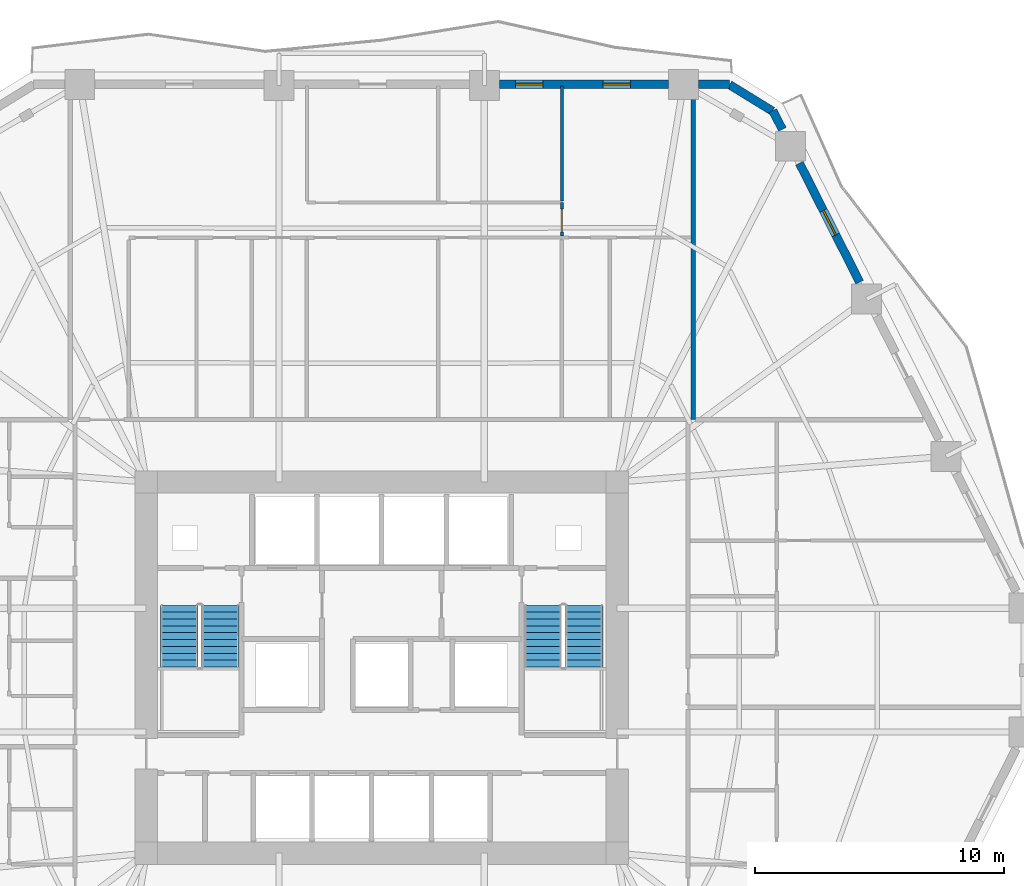
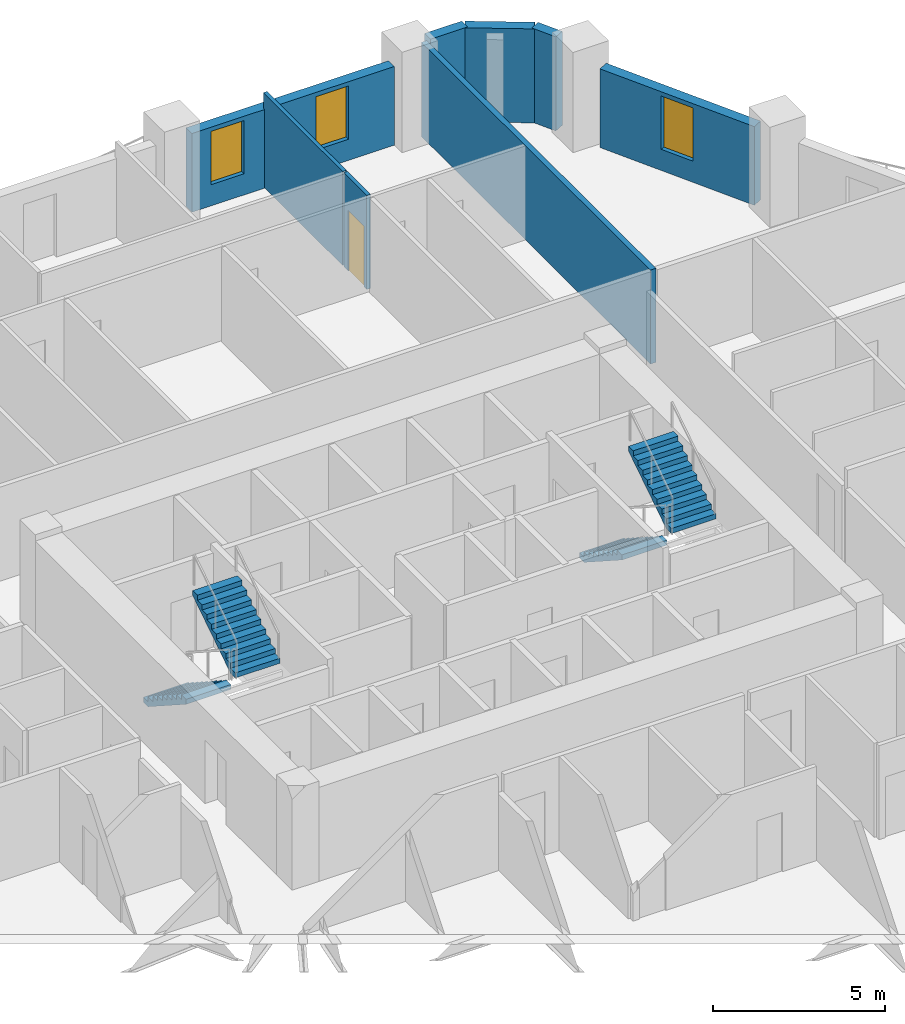
# One storey, part 8 of 11: 8 walls, 4 stair flights, 3 windows, 1 door, 4 openings, 2 elements without a shape of their own.
"""IFC4 building model written with IfcOpenShell, lengths in metres."""

from ifc_helpers import new_model, si_unit, direction, frame, frame_2d, origin, place, context, subcontext, project, spatial, polyline, rectangle, outline, extrude, material, layer, layer_set, type_object, element, fill, aggregate, save


model = new_model("IFC4")

# Units and contexts
model_context = context("Model", 3, precision=1e-05, world=origin(), true_north=direction((0.0, 1.0)))
body_context = subcontext(model_context, "Body", "Model", "MODEL_VIEW")
ifc_project = project(units=[si_unit("LENGTHUNIT", "METRE"), si_unit("AREAUNIT", "SQUARE_METRE"), si_unit("VOLUMEUNIT", "CUBIC_METRE"), si_unit("PLANEANGLEUNIT", "RADIAN"), si_unit("MASSUNIT", "GRAM", prefix="KILO")], contexts=[model_context])

# Site, building, storey
site_placement = place(None, origin())
site = spatial("IfcSite", under=ifc_project, at=site_placement, CompositionType="ELEMENT")
building_placement = place(site_placement, origin())
building = spatial("IfcBuilding", under=site, at=building_placement, Name="Cinnabar Lancet Tower", CompositionType="ELEMENT")
storey_placement = place(building_placement, frame((0.0, 0.0, 42.64990234375)))
storey = spatial("IfcBuildingStorey", under=building, at=storey_placement, Name="L10", CompositionType="ELEMENT", Elevation=42.64990234375)

# Wall
ifc_material_1 = material(Name="Fire-rated twin-frame acoustic drywall", Category="gypsum")
ifc_layer_1 = layer(ifc_material_1, 0.179931640625)
ifc_layer_set_1 = layer_set([ifc_layer_1], Name="Fire-rated twin-frame acoustic drywall")
wall_type_1 = type_object("IfcWallType", Name="ARC-WL-PARTY-180", PredefinedType="PARTITIONING", material=ifc_layer_set_1)
wall_1_placement = place(storey_placement, frame((44.89990234375, 35.85009765625, 0.0), z_axis=(0.0, 0.0, 1.0), x_axis=(0.0, 1.0, 0.0)))
element("IfcWall", 1, at=wall_1_placement, inside=storey, type_object=wall_type_1, Name="PW-L10-NPTY-449", PredefinedType="PARTITIONING", context=body_context, shape_type="SweptSolid", body=[
    extrude(rectangle(XDim=13.294921875, YDim=0.179931640625, at=frame_2d((6.6474609375, 0.0))), origin(), (0.0, 0.0, 1.0), 3.330078125),
])

# Wall, opening, door
ifc_material_2 = material(Name="Gypsum plasterboard stud partition", Category="gypsum")
ifc_layer_2 = layer(ifc_material_2, 0.125)
ifc_layer_set_2 = layer_set([ifc_layer_2], Name="Gypsum plasterboard stud partition")
wall_type_2 = type_object("IfcWallType", Name="ARC-WL-UNIT-125", PredefinedType="PARTITIONING", material=ifc_layer_set_2)
wall_2_placement = place(storey_placement, frame((39.6298828125, 43.23193359375, 0.0), z_axis=(0.0, 0.0, 1.0), x_axis=(0.0, 1.0, 0.0)))
wall_2 = element("IfcWall", 2, at=wall_2_placement, inside=storey, type_object=wall_type_2, Name="UW-L10-N01-MBE", PredefinedType="PARTITIONING", context=body_context, shape_type="SweptSolid", body=[
    extrude(rectangle(XDim=1.330078125, YDim=0.125, at=frame_2d((0.6650390625, 0.0))), origin(), (0.0, 0.0, 1.0), 3.330078125),
])
opening_1_placement = place(wall_2_placement, frame((0.159912109375, 0.0, 0.0)))
opening_1 = element("IfcOpeningElement", 3, at=opening_1_placement, cuts=wall_2, Name="Opening RD-01", PredefinedType="OPENING", context=body_context, shape_type="SweptSolid", body=[
    extrude(rectangle(XDim=0.919921875, YDim=2.14990234375, at=frame_2d((0.4599609375, 1.074951171875))), frame((0.0, 0.072509765625, 0.0), z_axis=(0.0, -1.0, 0.0), x_axis=(1.0, 0.0, 0.0)), (0.0, 0.0, 1.0), 0.14501953125),
])
ifc_material_3 = material(Name="Engineered timber bedroom door", Category="wood")
door_type = type_object("IfcDoorType", Name="ARC-DR-ROOM", OperationType="NOTDEFINED", PredefinedType="DOOR", material=ifc_material_3)
door_placement = place(opening_1_placement, origin())
door = element("IfcDoor", 4, at=door_placement, inside=storey, type_object=door_type, Name="DR-L10-N01-MBD", OperationType="SINGLE_SWING_LEFT", OverallHeight=2.14990234375, OverallWidth=0.919921875, PredefinedType="DOOR", context=body_context, shape_type="SweptSolid", body=[
    extrude(rectangle(XDim=0.919921875, YDim=2.14990234375, at=frame_2d((0.4599609375, 1.074951171875))), frame((0.0, 0.02490234375, 0.0), z_axis=(0.0, -1.0, 0.0), x_axis=(1.0, 0.0, 0.0)), (0.0, 0.0, 1.0), 0.050048828125),
])
fill(opening_1, door)

# Walls
wall_3_placement = place(storey_placement, frame((39.6298828125, 44.626953125, 0.0), z_axis=(0.0, 0.0, 1.0), x_axis=(0.0, 1.0, 0.0)))
element("IfcWall", 5, at=wall_3_placement, inside=storey, type_object=wall_type_2, Name="UW-L10-N01-B23W", PredefinedType="PARTITIONING", context=body_context, shape_type="SweptSolid", body=[
    extrude(rectangle(XDim=4.608154296875, YDim=0.125, at=frame_2d((2.30419921875, 0.0))), origin(), (0.0, 0.0, 1.0), 3.330078125),
])
ifc_material_4 = material(Name="Cinnabar red clay brick", Category="masonry")
ifc_layer_3 = layer(ifc_material_4, 0.340087890625)
ifc_layer_set_3 = layer_set([ifc_layer_3], Name="Cinnabar red clay brick")
wall_type_3 = type_object("IfcWallType", Name="ENV-WL-BRK-RED-340", PredefinedType="STANDARD", material=ifc_layer_set_3)
wall_4_placement = place(storey_placement, frame((48.080078125, 48.238037109375, 0.0), z_axis=(0.0, 0.0, 1.0), x_axis=(-0.851870104345, 0.523753114857, 0.0)))
element("IfcWall", 6, at=wall_4_placement, inside=storey, type_object=wall_type_3, Name="L10 Chamfered Corner Brick Pier 4.1", PredefinedType="STANDARD", context=body_context, shape_type="SweptSolid", body=[
    extrude(rectangle(XDim=2.017822265625, YDim=0.340087890625, at=frame_2d((1.0087890625, 0.0))), origin(), (0.0, 0.0, 1.0), 3.330078125),
])

# Wall, opening, window
wall_5_placement = place(storey_placement, frame((51.5830078125, 41.3720703125, 0.0), z_axis=(0.0, 0.0, 1.0), x_axis=(-0.451697561555, 0.892171123095, 0.0)))
wall_5 = element("IfcWall", 7, at=wall_5_placement, inside=storey, type_object=wall_type_3, Name="L10 Face 3 Masonry Bay Wall 4", PredefinedType="STANDARD", context=body_context, shape_type="SweptSolid", body=[
    extrude(rectangle(XDim=5.350830078125, YDim=0.340087890625, at=frame_2d((2.67529296875, 0.0))), origin(), (0.0, 0.0, 1.0), 2.787109375),
])
opening_2_placement = place(wall_5_placement, frame((2.125, 0.0, 0.75)))
opening_2 = element("IfcOpeningElement", 8, at=opening_2_placement, cuts=wall_5, Name="Opening WN-04", PredefinedType="OPENING", context=body_context, shape_type="SweptSolid", body=[
    extrude(rectangle(XDim=1.10009765625, YDim=1.886962890625, at=frame_2d((0.550048828125, 0.943359375))), frame((0.0, 0.179931640625, 0.0), z_axis=(0.0, -1.0, 0.0), x_axis=(1.0, 0.0, 0.0)), (0.0, 0.0, 1.0), 0.360107421875),
])
ifc_material_5 = material(Name="Thermally broken bronze-anodized aluminium tall lancet window", Category="aluminium")
window_type = type_object("IfcWindowType", Name="ENV-WN-LANCET-1100", PartitioningType="SINGLE_PANEL", PredefinedType="WINDOW", material=ifc_material_5)
window_1_placement = place(opening_2_placement, origin())
window_1 = element("IfcWindow", 9, at=window_1_placement, inside=storey, type_object=window_type, Name="L10 Face 3 Gothic Lancet Window 4", OverallHeight=1.886962890625, OverallWidth=1.10009765625, PartitioningType="SINGLE_PANEL", PredefinedType="WINDOW", context=body_context, shape_type="SweptSolid", body=[
    extrude(rectangle(XDim=1.10009765625, YDim=1.886962890625, at=frame_2d((0.550048828125, 0.943359375))), frame((0.0, 0.030029296875, 0.0), z_axis=(0.0, -1.0, 0.0), x_axis=(1.0, 0.0, 0.0)), (0.0, 0.0, 1.0), 0.06005859375),
])
fill(opening_2, window_1)

# Walls
wall_6_placement = place(storey_placement, frame((48.47802734375, 47.508056640625, 0.0), z_axis=(0.0, 0.0, 1.0), x_axis=(-0.451995771866, 0.892020079491, 0.0)))
element("IfcWall", 10, at=wall_6_placement, inside=storey, type_object=wall_type_3, Name="L10 Face 3 Masonry Bay Wall 5", PredefinedType="STANDARD", context=body_context, shape_type="SweptSolid", body=[
    extrude(rectangle(XDim=0.836181640625, YDim=0.340087890625, at=frame_2d((0.41796875, 0.0))), origin(), (0.0, 0.0, 1.0), 3.330078125),
])
wall_7_placement = place(storey_placement, frame((46.365966796875, 49.320068359375, 0.0), z_axis=(0.0, 0.0, 1.0), x_axis=(-1.0, 0.0, 0.0)))
element("IfcWall", 11, at=wall_7_placement, inside=storey, type_object=wall_type_3, Name="L10 Face 4 Masonry Bay Wall 1", PredefinedType="STANDARD", context=body_context, shape_type="SweptSolid", body=[
    extrude(rectangle(XDim=1.244873046875, YDim=0.340087890625, at=frame_2d((0.62255859375, 0.0))), origin(), (0.0, 0.0, 1.0), 3.330078125),
])

# Wall, openings, windows
wall_8_placement = place(storey_placement, frame((43.9130859375, 49.320068359375, 0.0), z_axis=(0.0, 0.0, 1.0), x_axis=(-1.0, 0.0, 0.0)))
wall_8 = element("IfcWall", 12, at=wall_8_placement, inside=storey, type_object=wall_type_3, Name="L10 Face 4 Masonry Bay Wall 2", PredefinedType="STANDARD", context=body_context, shape_type="SweptSolid", body=[
    extrude(rectangle(XDim=6.787109375, YDim=0.340087890625, at=frame_2d((3.3935546875, 0.0))), origin(), (0.0, 0.0, 1.0), 2.787109375),
])
opening_3_placement = place(wall_8_placement, frame((1.534912109375, 0.0, 0.75)))
opening_3 = element("IfcOpeningElement", 13, at=opening_3_placement, cuts=wall_8, Name="Opening WN-04", PredefinedType="OPENING", context=body_context, shape_type="SweptSolid", body=[
    extrude(rectangle(XDim=1.10009765625, YDim=1.886962890625, at=frame_2d((0.550048828125, 0.943359375))), frame((0.0, 0.179931640625, 0.0), z_axis=(0.0, -1.0, 0.0), x_axis=(1.0, 0.0, 0.0)), (0.0, 0.0, 1.0), 0.360107421875),
])
opening_4_placement = place(wall_8_placement, frame((5.041015625, 0.0, 0.75)))
opening_4 = element("IfcOpeningElement", 14, at=opening_4_placement, cuts=wall_8, Name="Opening WN-04", PredefinedType="OPENING", context=body_context, shape_type="SweptSolid", body=[
    extrude(rectangle(XDim=1.10009765625, YDim=1.886962890625, at=frame_2d((0.550048828125, 0.943359375))), frame((0.0, 0.179931640625, 0.0), z_axis=(0.0, -1.0, 0.0), x_axis=(1.0, 0.0, 0.0)), (0.0, 0.0, 1.0), 0.360107421875),
])
window_2_placement = place(opening_3_placement, origin())
window_2 = element("IfcWindow", 15, at=window_2_placement, inside=storey, type_object=window_type, Name="L10 Face 4 Gothic Lancet Window 2", OverallHeight=1.886962890625, OverallWidth=1.10009765625, PartitioningType="SINGLE_PANEL", PredefinedType="WINDOW", context=body_context, shape_type="SweptSolid", body=[
    extrude(rectangle(XDim=1.10009765625, YDim=1.886962890625, at=frame_2d((0.550048828125, 0.943359375))), frame((0.0, 0.030029296875, 0.0), z_axis=(0.0, -1.0, 0.0), x_axis=(1.0, 0.0, 0.0)), (0.0, 0.0, 1.0), 0.06005859375),
])
fill(opening_3, window_2)
window_3_placement = place(opening_4_placement, origin())
window_3 = element("IfcWindow", 16, at=window_3_placement, inside=storey, type_object=window_type, Name="L10 Split-Bay Gothic Lancet Window 19", OverallHeight=1.886962890625, OverallWidth=1.10009765625, PartitioningType="SINGLE_PANEL", PredefinedType="WINDOW", context=body_context, shape_type="SweptSolid", body=[
    extrude(rectangle(XDim=1.10009765625, YDim=1.886962890625, at=frame_2d((0.550048828125, 0.943359375))), frame((0.0, 0.030029296875, 0.0), z_axis=(0.0, -1.0, 0.0), x_axis=(1.0, 0.0, 0.0)), (0.0, 0.0, 1.0), 0.06005859375),
])
fill(opening_4, window_3)

# Stair, stair flights
ifc_material_6 = material(Name="Concrete C40/50", Category="concrete")
stair_type = type_object("IfcStairType", Name="ST-CORE", PredefinedType="HALF_TURN_STAIR", material=ifc_material_6)
stair_1_placement = place(storey_placement, origin())
stair_1 = element("IfcStair", 17, at=stair_1_placement, inside=storey, type_object=stair_type, Name="L10 ST-1", PredefinedType="HALF_TURN_STAIR")
ifc_material_7 = material(Name="Concrete C40/50", Category="concrete")
stair_flight_type = type_object("IfcStairFlightType", Name="FLIGHT-CORE", PredefinedType="STRAIGHT", material=ifc_material_7)
stair_flight_1_placement = place(storey_placement, frame((24.27490234375, 28.39990234375, 0.0), z_axis=(0.0, 0.0, 1.0), x_axis=(0.0, -1.0, 0.0)))
stair_flight_1 = element("IfcStairFlight", 18, at=stair_flight_1_placement, type_object=stair_flight_type, Name="ST-1 flight 1", NumberOfRisers=10, NumberOfTreads=9, PredefinedType="STRAIGHT", RiserHeight=0.1775, TreadLength=0.275, context=body_context, shape_type="SweptSolid", body=[
    extrude(outline(polyline([(0.0, 0.0), (0.0, 0.177490234375), (0.27490234375, 0.177490234375), (0.27490234375, 0.35498046875), (0.550048828125, 0.35498046875), (0.550048828125, 0.532470703125), (0.824951171875, 0.532470703125), (0.824951171875, 0.7099609375), (1.10009765625, 0.7099609375), (1.10009765625, 0.887451171875), (1.375, 0.887451171875), (1.375, 1.06494140625), (1.64990234375, 1.06494140625), (1.64990234375, 1.242431640625), (1.925048828125, 1.242431640625), (1.925048828125, 1.419921875), (2.199951171875, 1.419921875), (2.199951171875, 1.597412109375), (2.47509765625, 1.597412109375), (2.47509765625, 1.77490234375), (2.47509765625, 1.419189453125), (0.2763671875, 0.0), (0.0, 0.0)])), frame((0.0, 0.75, 0.0), z_axis=(0.0, -1.0, 0.0), x_axis=(1.0, 0.0, 0.0)), (0.0, 0.0, 1.0), 1.5),
])
stair_flight_2_placement = place(storey_placement, frame((25.925048828125, 25.925048828125, 1.775146484375), z_axis=(0.0, 0.0, 1.0), x_axis=(0.0, 1.0, 0.0)))
stair_flight_2 = element("IfcStairFlight", 19, at=stair_flight_2_placement, type_object=stair_flight_type, Name="ST-1 flight 2", NumberOfRisers=10, NumberOfTreads=9, PredefinedType="STRAIGHT", RiserHeight=0.1775, TreadLength=0.275, context=body_context, shape_type="SweptSolid", body=[
    extrude(outline(polyline([(0.0, 0.0), (0.0, 0.177490234375), (0.27490234375, 0.177490234375), (0.27490234375, 0.35498046875), (0.550048828125, 0.35498046875), (0.550048828125, 0.532470703125), (0.824951171875, 0.532470703125), (0.824951171875, 0.7099609375), (1.10009765625, 0.7099609375), (1.10009765625, 0.887451171875), (1.375, 0.887451171875), (1.375, 1.06494140625), (1.64990234375, 1.06494140625), (1.64990234375, 1.242431640625), (1.925048828125, 1.242431640625), (1.925048828125, 1.419921875), (2.199951171875, 1.419921875), (2.199951171875, 1.597412109375), (2.47509765625, 1.597412109375), (2.47509765625, 1.77490234375), (2.47509765625, 1.419189453125), (0.2763671875, 0.0), (0.0, 0.0)])), frame((0.0, 0.75, 0.0), z_axis=(0.0, -1.0, 0.0), x_axis=(1.0, 0.0, 0.0)), (0.0, 0.0, 1.0), 1.5),
])
aggregate(stair_1, [stair_flight_1, stair_flight_2])

stair_2_placement = place(storey_placement, origin())
stair_2 = element("IfcStair", 20, at=stair_2_placement, inside=storey, type_object=stair_type, Name="L10 ST-2", PredefinedType="HALF_TURN_STAIR")
stair_flight_3_placement = place(storey_placement, frame((38.875, 28.39990234375, 0.0), z_axis=(0.0, 0.0, 1.0), x_axis=(0.0, -1.0, 0.0)))
stair_flight_3 = element("IfcStairFlight", 21, at=stair_flight_3_placement, type_object=stair_flight_type, Name="ST-2 flight 1", NumberOfRisers=10, NumberOfTreads=9, PredefinedType="STRAIGHT", RiserHeight=0.1775, TreadLength=0.275, context=body_context, shape_type="SweptSolid", body=[
    extrude(outline(polyline([(0.0, 0.0), (0.0, 0.177490234375), (0.27490234375, 0.177490234375), (0.27490234375, 0.35498046875), (0.550048828125, 0.35498046875), (0.550048828125, 0.532470703125), (0.824951171875, 0.532470703125), (0.824951171875, 0.7099609375), (1.10009765625, 0.7099609375), (1.10009765625, 0.887451171875), (1.375, 0.887451171875), (1.375, 1.06494140625), (1.64990234375, 1.06494140625), (1.64990234375, 1.242431640625), (1.925048828125, 1.242431640625), (1.925048828125, 1.419921875), (2.199951171875, 1.419921875), (2.199951171875, 1.597412109375), (2.47509765625, 1.597412109375), (2.47509765625, 1.77490234375), (2.47509765625, 1.419189453125), (0.2763671875, 0.0), (0.0, 0.0)])), frame((0.0, 0.75, 0.0), z_axis=(0.0, -1.0, 0.0), x_axis=(1.0, 0.0, 0.0)), (0.0, 0.0, 1.0), 1.5),
])
stair_flight_4_placement = place(storey_placement, frame((40.52490234375, 25.925048828125, 1.775146484375), z_axis=(0.0, 0.0, 1.0), x_axis=(0.0, 1.0, 0.0)))
stair_flight_4 = element("IfcStairFlight", 22, at=stair_flight_4_placement, type_object=stair_flight_type, Name="ST-2 flight 2", NumberOfRisers=10, NumberOfTreads=9, PredefinedType="STRAIGHT", RiserHeight=0.1775, TreadLength=0.275, context=body_context, shape_type="SweptSolid", body=[
    extrude(outline(polyline([(0.0, 0.0), (0.0, 0.177490234375), (0.27490234375, 0.177490234375), (0.27490234375, 0.35498046875), (0.550048828125, 0.35498046875), (0.550048828125, 0.532470703125), (0.824951171875, 0.532470703125), (0.824951171875, 0.7099609375), (1.10009765625, 0.7099609375), (1.10009765625, 0.887451171875), (1.375, 0.887451171875), (1.375, 1.06494140625), (1.64990234375, 1.06494140625), (1.64990234375, 1.242431640625), (1.925048828125, 1.242431640625), (1.925048828125, 1.419921875), (2.199951171875, 1.419921875), (2.199951171875, 1.597412109375), (2.47509765625, 1.597412109375), (2.47509765625, 1.77490234375), (2.47509765625, 1.419189453125), (0.2763671875, 0.0), (0.0, 0.0)])), frame((0.0, 0.75, 0.0), z_axis=(0.0, -1.0, 0.0), x_axis=(1.0, 0.0, 0.0)), (0.0, 0.0, 1.0), 1.5),
])
aggregate(stair_2, [stair_flight_3, stair_flight_4])

save(model, "model.ifc")
